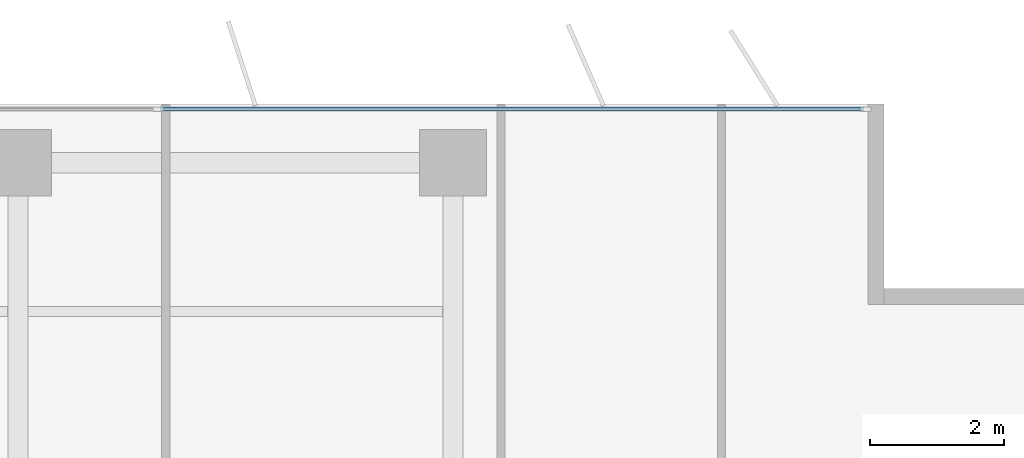
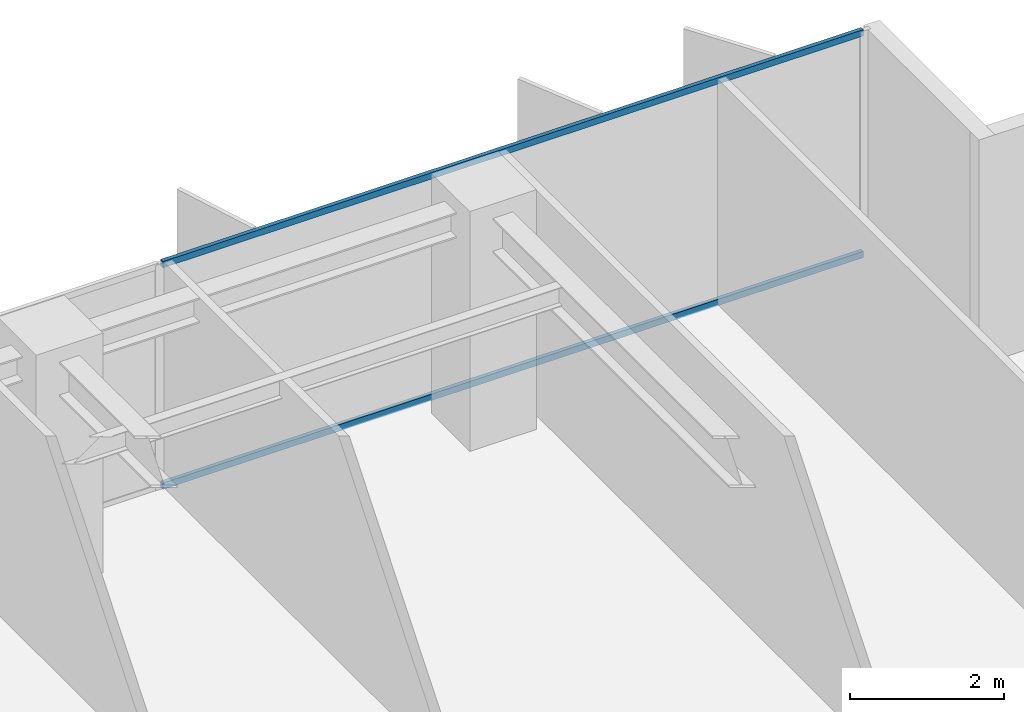
# One storey, part 11 of 22: 2 members, 1 element without a shape of its own.
"""IFC4 building model written with IfcOpenShell, lengths in metres."""

from ifc_helpers import new_model, si_unit, direction, frame, origin, origin_2d, place, context, subcontext, project, spatial, rectangle, extrude, material, layer, layer_set, material_profile, profile_set, type_object, element, aggregate, save


model = new_model("IFC4")

# Units and contexts
model_context = context("Model", 3, precision=1e-05, world=origin(), true_north=direction((0.0, 1.0)))
body_context = subcontext(model_context, "Body", "Model", "MODEL_VIEW")
ifc_project = project(units=[si_unit("LENGTHUNIT", "METRE"), si_unit("AREAUNIT", "SQUARE_METRE"), si_unit("VOLUMEUNIT", "CUBIC_METRE"), si_unit("PLANEANGLEUNIT", "RADIAN"), si_unit("MASSUNIT", "GRAM", prefix="KILO")], contexts=[model_context])

# Site, building, storey
site_placement = place(None, origin())
site = spatial("IfcSite", under=ifc_project, at=site_placement, CompositionType="ELEMENT")
building_placement = place(site_placement, origin())
building = spatial("IfcBuilding", under=site, at=building_placement, Name="Putna Gate Headquarters", CompositionType="ELEMENT")
storey_placement = place(building_placement, frame((0.0, 0.0, 186.0)))
storey = spatial("IfcBuildingStorey", under=building, at=storey_placement, Name="L46", CompositionType="ELEMENT", Elevation=186.0)

# Curtain wall, members
ifc_material_1 = material(Name="Anodised bronze aluminium curtain wall", Category="aluminium")
ifc_layer = layer(ifc_material_1, 0.159912109375)
ifc_layer_set = layer_set([ifc_layer], Name="Anodised bronze aluminium curtain wall")
curtain_wall_type = type_object("IfcCurtainWallType", Name="CW-SYS-Z3", PredefinedType="USERDEFINED", material=ifc_layer_set)
curtain_wall_placement = place(storey_placement, origin())
curtain_wall = element("IfcCurtainWall", 1, at=curtain_wall_placement, inside=storey, type_object=curtain_wall_type, Name="L46 North East Curtain Wall", ObjectType="STICK CURTAIN WALL", PredefinedType="USERDEFINED")
ifc_material_2 = material(Name="Anodised bronze aluminium EN AW-6060", Category="aluminium")
ifc_material_profile = material_profile(ifc_material_2, rectangle(XDim=0.06005859375, YDim=0.10009765625, at=origin_2d()), Name="Anodised bronze aluminium EN AW-6060")
ifc_profile_set = profile_set([ifc_material_profile], Name="Anodised bronze aluminium EN AW-6060")
member_type = type_object("IfcMemberType", Name="TRAN-CWT-3", PredefinedType="USERDEFINED", material=ifc_profile_set)
member_1_placement = place(storey_placement, frame((60.632568359375, 48.52001953125, 0.030029296875), z_axis=(1.0, 0.0, 0.0), x_axis=(0.0, 1.0, 0.0)))
member_1 = element("IfcMember", 2, at=member_1_placement, type_object=member_type, Name="CWS-3 transom 2.1", ObjectType="TRANSOM", PredefinedType="USERDEFINED", context=body_context, shape_type="SweptSolid", body=[
    extrude(rectangle(XDim=0.06005859375, YDim=0.10009765625, at=origin_2d()), origin(), (0.0, 0.0, 1.0), 10.50244140625),
])
member_2_placement = place(storey_placement, frame((60.632568359375, 48.52001953125, 3.5419921875), z_axis=(1.0, 0.0, 0.0), x_axis=(0.0, 1.0, 0.0)))
member_2 = element("IfcMember", 3, at=member_2_placement, type_object=member_type, Name="CWS-3 transom 2.2", ObjectType="TRANSOM", PredefinedType="USERDEFINED", context=body_context, shape_type="SweptSolid", body=[
    extrude(rectangle(XDim=0.06005859375, YDim=0.10009765625, at=origin_2d()), origin(), (0.0, 0.0, 1.0), 10.50244140625),
])
aggregate(curtain_wall, [member_1, member_2])

save(model, "model.ifc")
